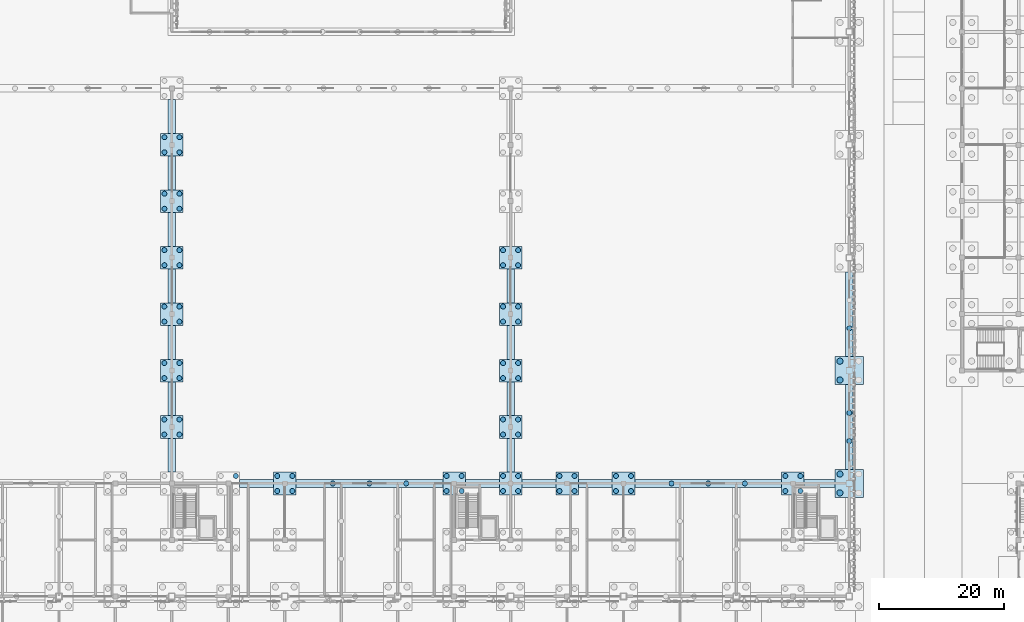
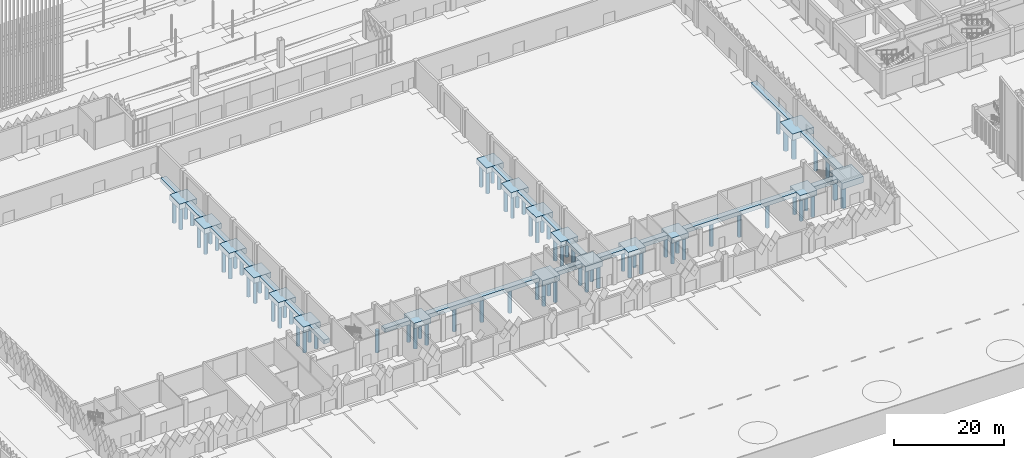
# One storey, part 7 of 198: 78 piles, 38 footings.
"""IFC4 building model written with IfcOpenShell, lengths in metres."""

import ifcopenshell
import ifcopenshell.guid

model = None  # the IFC model being written
_history = None  # IfcOwnerHistory: only IFC2X3 demands one
_inside = {}  # id of a spatial element -> (the spatial element, [elements in it])
_under = {}  # id of a project, library or spatial element -> (it, [spatial elements below it])
_declared = {}  # id of a project -> (the project, [libraries it declares])
_typed = {}  # id of a type object -> (the type object, [elements of that type])
_made_of = {}  # id of a material, layer set ... -> (it, [elements and type objects made of it])


def new_model(schema):
    """Start an empty IFC model of exactly this schema.

    Asked for "IFC4X3", IfcOpenShell would pick the latest addendum, in which some entities
    have other attributes; the version numbers below select the first issue.
    IFC2X3 requires an IfcOwnerHistory on every rooted entity: one is made here for all.
    """
    global model, _history
    if schema == "IFC4X3":
        model = ifcopenshell.file(schema_version=(4, 3, 0, 0))
    else:
        model = ifcopenshell.file(schema=schema)
    _inside.clear()
    _under.clear()
    _declared.clear()
    _typed.clear()
    _made_of.clear()
    _history = None
    if model.schema == "IFC2X3":
        org = make("IfcOrganization", Name="unknown")
        user = make(
            "IfcPersonAndOrganization",
            ThePerson=make("IfcPerson", FamilyName="unknown"),
            TheOrganization=org,
        )
        app = make(
            "IfcApplication",
            ApplicationDeveloper=org,
            Version="unknown",
            ApplicationFullName="unknown",
            ApplicationIdentifier="unknown",
        )
        _history = make(
            "IfcOwnerHistory",
            OwningUser=user,
            OwningApplication=app,
            ChangeAction="ADDED",
            CreationDate=0,
        )
    return model


def make(cls, **values):
    """One entity of the class cls with the attributes given. An attribute that is None is left unset."""
    return model.create_entity(
        cls, **{name: value for name, value in values.items() if value is not None}
    )


def rooted(cls, **values):
    """An entity with a GlobalId (a new one), such as an element, a storey or a relation."""
    return make(cls, GlobalId=ifcopenshell.guid.new(), OwnerHistory=_history, **values)


def si_unit(unit_type, name, prefix=None):
    """IfcSIUnit, for example si_unit("LENGTHUNIT", "METRE", prefix="MILLI")."""
    return make("IfcSIUnit", UnitType=unit_type, Prefix=prefix, Name=name)


def assignment(units):
    """IfcUnitAssignment: the units of a project."""
    return None if units is None else make("IfcUnitAssignment", Units=units)


def point(xyz):
    """IfcCartesianPoint."""
    return None if xyz is None else make("IfcCartesianPoint", Coordinates=xyz)


def direction(xyz):
    """IfcDirection."""
    return None if xyz is None else make("IfcDirection", DirectionRatios=xyz)


def frame(location, z_axis=None, x_axis=None):
    """IfcAxis2Placement3D, a coordinate frame: its origin and axes. An axis left out is left unset."""
    return make(
        "IfcAxis2Placement3D",
        Location=point(location),
        Axis=direction(z_axis),
        RefDirection=direction(x_axis),
    )


def frame_2d(location, x_axis=None):
    """IfcAxis2Placement2D, a coordinate frame in the plane: its origin and x axis."""
    return make(
        "IfcAxis2Placement2D", Location=point(location), RefDirection=direction(x_axis)
    )


def origin():
    """The frame at (0, 0, 0) with its axes left unset."""
    return frame((0.0, 0.0, 0.0))


def origin_2d():
    """The frame at (0, 0) in the plane with its x axis left unset."""
    return frame_2d((0.0, 0.0))


def place(relative_to, where):
    """IfcLocalPlacement: puts the frame where relative to a parent placement (None: the world)."""
    return make(
        "IfcLocalPlacement", PlacementRelTo=relative_to, RelativePlacement=where
    )


def context(
    kind, dimensions, precision=None, world=None, true_north=None, identifier=None
):
    """IfcGeometricRepresentationContext, for example the 3D "Model" context."""
    return make(
        "IfcGeometricRepresentationContext",
        ContextIdentifier=identifier,
        ContextType=kind,
        CoordinateSpaceDimension=dimensions,
        Precision=precision,
        WorldCoordinateSystem=world,
        TrueNorth=true_north,
    )


def subcontext(parent, identifier, kind, view, scale=None):
    """IfcGeometricRepresentationSubContext, for example "Body" below "Model"."""
    return make(
        "IfcGeometricRepresentationSubContext",
        ContextIdentifier=identifier,
        ContextType=kind,
        ParentContext=parent,
        TargetScale=scale,
        TargetView=view,
    )


def project(units=None, contexts=None):
    """IfcProject with its units and contexts."""
    return rooted(
        "IfcProject",
        Name="project",
        RepresentationContexts=contexts,
        UnitsInContext=assignment(units),
    )


def spatial(cls, under=None, at=None, **own):
    """A site, building, storey or space (cls), placed at a placement, below another one or the project."""
    s = rooted(cls, ObjectPlacement=at, **own)
    if under is not None:
        _under.setdefault(under.id(), (under, []))[1].append(s)
    return s


def polyline(points):
    """IfcPolyline through the points."""
    return make("IfcPolyline", Points=[point(p) for p in points])


def profile(cls, at=None, kind="AREA", **sizes):
    """A parametric profile (cls). Its sizes go by their IFC names, for example OverallWidth=200.0."""
    return make(cls, ProfileType=kind, Position=at, **sizes)


def circle(**sizes):
    """IfcCircleProfileDef."""
    return profile("IfcCircleProfileDef", **sizes)


def outline(outer, holes=None, kind="AREA"):
    """IfcArbitraryClosedProfileDef: a profile drawn as a closed curve; with holes, ...WithVoids."""
    if holes is None:
        return make("IfcArbitraryClosedProfileDef", ProfileType=kind, OuterCurve=outer)
    return make(
        "IfcArbitraryProfileDefWithVoids",
        ProfileType=kind,
        OuterCurve=outer,
        InnerCurves=holes,
    )


def extrude(swept, where, along, depth):
    """IfcExtrudedAreaSolid: the profile swept, set in the frame where, extruded along a direction by depth."""
    return make(
        "IfcExtrudedAreaSolid",
        SweptArea=swept,
        Position=where,
        ExtrudedDirection=direction(along),
        Depth=depth,
    )


def shape(context_of_items, identifier, shape_type, items):
    """IfcShapeRepresentation: the items that make up one representation, for example the "Body"."""
    return make(
        "IfcShapeRepresentation",
        ContextOfItems=context_of_items,
        RepresentationIdentifier=identifier,
        RepresentationType=shape_type,
        Items=items,
    )


def material(Name=None, Category=None):
    """IfcMaterial."""
    return make("IfcMaterial", Name=Name, Category=Category)


def layer(
    of_material, thickness, ventilated=None, Name=None, Category=None, Priority=None
):
    """IfcMaterialLayer: one layer of a wall or slab, of a material (None: an air gap)."""
    return make(
        "IfcMaterialLayer",
        Material=of_material,
        LayerThickness=thickness,
        IsVentilated=ventilated,
        Name=Name,
        Category=Category,
        Priority=Priority,
    )


def layer_set(layers, Name=None):
    """IfcMaterialLayerSet."""
    return make("IfcMaterialLayerSet", MaterialLayers=layers, LayerSetName=Name)


def material_profile(
    of_material, cross_section, Name=None, Category=None, Priority=None
):
    """IfcMaterialProfile: a cross section and its material."""
    return make(
        "IfcMaterialProfile",
        Name=Name,
        Material=of_material,
        Profile=cross_section,
        Priority=Priority,
        Category=Category,
    )


def profile_set(profiles, Name=None, composite=None):
    """IfcMaterialProfileSet."""
    return make(
        "IfcMaterialProfileSet",
        Name=Name,
        MaterialProfiles=profiles,
        CompositeProfile=composite,
    )


def made_of(thing, what):
    """Note that an element or type object is made of a material, layer set ...; save() writes the relation."""
    if what is not None:
        _made_of.setdefault(what.id(), (what, []))[1].append(thing)
    return thing


def type_object(cls, material=None, **own):
    """A type object (cls), such as IfcWallType, which elements share."""
    return made_of(rooted(cls, **own), material)


def element(
    cls,
    number,
    at=None,
    inside=None,
    cuts=None,
    type_object=None,
    material=None,
    context=None,
    identifier="Body",
    shape_type=None,
    held_by="IfcProductDefinitionShape",
    body=None,
    shapes=None,
    **own,
):
    """One element of the class cls, such as IfcWall. Its Tag is "e" and its number.

    at: its placement. inside: the storey or other place that contains it. cuts: it is an
    opening in that element (IfcRelVoidsElement). A single representation is given by context,
    identifier, shape_type and body (its items); several are given by shapes. held_by: the class
    of the entity that holds the representations. save() writes the other relations.
    """
    e = rooted(cls, Tag="e%d" % number, ObjectPlacement=at, **own)
    if body is not None:
        shapes = [shape(context, identifier, shape_type, body)]
    if shapes is not None:
        e.Representation = make(held_by, Representations=shapes)
    if inside is not None:
        _inside.setdefault(inside.id(), (inside, []))[1].append(e)
    if cuts is not None:
        rooted(
            "IfcRelVoidsElement", RelatingBuildingElement=cuts, RelatedOpeningElement=e
        )
    if type_object is not None:
        _typed.setdefault(type_object.id(), (type_object, []))[1].append(e)
    return made_of(e, material)


def aggregate(whole, parts):
    """IfcRelAggregates: a whole, such as a stair, and the parts it consists of."""
    return rooted("IfcRelAggregates", RelatingObject=whole, RelatedObjects=parts)


def save(model, path):
    """Write the relations noted so far, then the file.

    IfcRelAggregates (storeys below a building ...), IfcRelContainedInSpatialStructure (elements
    in a storey), IfcRelDefinesByType, IfcRelAssociatesMaterial and IfcRelDeclares: one each for
    every whole, place, type object, material and project.
    """
    for whole, parts in _under.values():
        aggregate(whole, parts)
    for where, things in _inside.values():
        rooted(
            "IfcRelContainedInSpatialStructure",
            RelatedElements=things,
            RelatingStructure=where,
        )
    for kind, things in _typed.values():
        rooted("IfcRelDefinesByType", RelatedObjects=things, RelatingType=kind)
    for what, things in _made_of.values():
        rooted("IfcRelAssociatesMaterial", RelatedObjects=things, RelatingMaterial=what)
    for by, libraries in _declared.values():
        rooted("IfcRelDeclares", RelatingContext=by, RelatedDefinitions=libraries)
    model.write(path)


model = new_model("IFC4")

# Units and contexts
model_context = context("Model", 3, precision=1e-05, world=origin(), true_north=direction((0.0, 1.0)))
body_context = subcontext(model_context, "Body", "Model", "MODEL_VIEW")
ifc_project = project(units=[si_unit("LENGTHUNIT", "METRE"), si_unit("AREAUNIT", "SQUARE_METRE"), si_unit("VOLUMEUNIT", "CUBIC_METRE"), si_unit("PLANEANGLEUNIT", "RADIAN"), si_unit("MASSUNIT", "GRAM", prefix="KILO")], contexts=[model_context])

# Site, building, storey
site_placement = place(None, origin())
site = spatial("IfcSite", under=ifc_project, at=site_placement, CompositionType="ELEMENT")
building_placement = place(site_placement, origin())
building = spatial("IfcBuilding", under=site, at=building_placement, Name="Opaline Strait Convention Centre", CompositionType="ELEMENT")
storey_placement = place(building_placement, origin())
storey = spatial("IfcBuildingStorey", under=building, at=storey_placement, Name="L00", CompositionType="ELEMENT", Elevation=0.0)

# Piles
ifc_material_1 = material(Name="Concrete C35", Category="concrete")
ifc_material_profile_1 = material_profile(ifc_material_1, circle(Radius=0.5, at=origin_2d()), Name="D1000")
ifc_profile_set_1 = profile_set([ifc_material_profile_1], Name="Concrete C35")
pile_type_1 = type_object("IfcPileType", Name="Bored pile D1000 C35", PredefinedType="BORED", material=ifc_profile_set_1)
for number, where, z_axis, x_axis, name in (
    (1, (259.5, 70.5, -1.300048828125), (0.0, 0.0, -1.0), (1.0, 0.0, 0.0), "Bored pile of cap 261/72"),
    (2, (259.5, 73.5, -1.300048828125), (0.0, 0.0, -1.0), (1.0, 0.0, 0.0), "Bored pile of cap 261/72"),
    (3, (259.5, 88.5, -1.300048828125), (0.0, 0.0, -1.0), (1.0, 0.0, 0.0), "Bored pile of cap 261/90"),
    (4, (259.5, 91.5, -1.300048828125), (0.0, 0.0, -1.0), (1.0, 0.0, 0.0), "Bored pile of cap 261/90"),
):
    element("IfcPile", number, at=place(storey_placement, frame(where, z_axis=z_axis, x_axis=x_axis)), inside=storey, type_object=pile_type_1, Name=name, PredefinedType="BORED", context=body_context, shape_type="SweptSolid", body=[
        extrude(circle(Radius=0.5, at=origin_2d()), origin(), (0.0, 0.0, 1.0), 4.699951171875),
    ])
ifc_material_profile_2 = material_profile(ifc_material_1, circle(Radius=0.39990234375, at=origin_2d()), Name="D800")
ifc_profile_set_2 = profile_set([ifc_material_profile_2], Name="Concrete C35")
pile_type_2 = type_object("IfcPileType", Name="Bored pile D800 C35", PredefinedType="BORED", material=ifc_profile_set_2)
for number, where, z_axis, x_axis, name in (
    (5, (151.800048828125, 79.800048828125, -1.10009765625), (0.0, 0.0, -1.0), (1.0, 0.0, 0.0), "Bored pile of cap 153/81"),
    (6, (151.800048828125, 82.199951171875, -1.10009765625), (0.0, 0.0, -1.0), (1.0, 0.0, 0.0), "Bored pile of cap 153/81"),
    (7, (154.199951171875, 79.800048828125, -1.10009765625), (0.0, 0.0, -1.0), (1.0, 0.0, 0.0), "Bored pile of cap 153/81"),
    (8, (154.199951171875, 82.199951171875, -1.10009765625), (0.0, 0.0, -1.0), (1.0, 0.0, 0.0), "Bored pile of cap 153/81"),
    (9, (151.800048828125, 88.800048828125, -1.10009765625), (0.0, 0.0, -1.0), (1.0, 0.0, 0.0), "Bored pile of cap 153/90"),
    (10, (151.800048828125, 91.199951171875, -1.10009765625), (0.0, 0.0, -1.0), (1.0, 0.0, 0.0), "Bored pile of cap 153/90"),
    (11, (154.199951171875, 88.800048828125, -1.10009765625), (0.0, 0.0, -1.0), (1.0, 0.0, 0.0), "Bored pile of cap 153/90"),
    (12, (154.199951171875, 91.199951171875, -1.10009765625), (0.0, 0.0, -1.0), (1.0, 0.0, 0.0), "Bored pile of cap 153/90"),
    (13, (151.800048828125, 97.800048828125, -1.10009765625), (0.0, 0.0, -1.0), (1.0, 0.0, 0.0), "Bored pile of cap 153/99"),
    (14, (151.800048828125, 100.199951171875, -1.10009765625), (0.0, 0.0, -1.0), (1.0, 0.0, 0.0), "Bored pile of cap 153/99"),
    (15, (154.199951171875, 97.800048828125, -1.10009765625), (0.0, 0.0, -1.0), (1.0, 0.0, 0.0), "Bored pile of cap 153/99"),
    (16, (154.199951171875, 100.199951171875, -1.10009765625), (0.0, 0.0, -1.0), (1.0, 0.0, 0.0), "Bored pile of cap 153/99"),
    (17, (151.800048828125, 106.800048828125, -1.10009765625), (0.0, 0.0, -1.0), (1.0, 0.0, 0.0), "Bored pile of cap 153/108"),
    (18, (151.800048828125, 109.199951171875, -1.10009765625), (0.0, 0.0, -1.0), (1.0, 0.0, 0.0), "Bored pile of cap 153/108"),
    (19, (154.199951171875, 106.800048828125, -1.10009765625), (0.0, 0.0, -1.0), (1.0, 0.0, 0.0), "Bored pile of cap 153/108"),
    (20, (154.199951171875, 109.199951171875, -1.10009765625), (0.0, 0.0, -1.0), (1.0, 0.0, 0.0), "Bored pile of cap 153/108"),
    (21, (151.800048828125, 115.800048828125, -1.10009765625), (0.0, 0.0, -1.0), (1.0, 0.0, 0.0), "Bored pile of cap 153/117"),
    (22, (151.800048828125, 118.199951171875, -1.10009765625), (0.0, 0.0, -1.0), (1.0, 0.0, 0.0), "Bored pile of cap 153/117"),
    (23, (154.199951171875, 115.800048828125, -1.10009765625), (0.0, 0.0, -1.0), (1.0, 0.0, 0.0), "Bored pile of cap 153/117"),
    (24, (154.199951171875, 118.199951171875, -1.10009765625), (0.0, 0.0, -1.0), (1.0, 0.0, 0.0), "Bored pile of cap 153/117"),
    (25, (151.800048828125, 124.800048828125, -1.10009765625), (0.0, 0.0, -1.0), (1.0, 0.0, 0.0), "Bored pile of cap 153/126"),
    (26, (151.800048828125, 127.199951171875, -1.10009765625), (0.0, 0.0, -1.0), (1.0, 0.0, 0.0), "Bored pile of cap 153/126"),
    (27, (154.199951171875, 124.800048828125, -1.10009765625), (0.0, 0.0, -1.0), (1.0, 0.0, 0.0), "Bored pile of cap 153/126"),
    (28, (154.199951171875, 127.199951171875, -1.10009765625), (0.0, 0.0, -1.0), (1.0, 0.0, 0.0), "Bored pile of cap 153/126"),
    (29, (163.199951171875, 73.199951171875, -1.10009765625), (0.0, 0.0, -1.0), (1.0, 0.0, 0.0), "Bored pile of cap 162/72"),
    (30, (169.800048828125, 70.800048828125, -1.10009765625), (0.0, 0.0, -1.0), (1.0, 0.0, 0.0), "Bored pile of cap 171/72"),
    (31, (169.800048828125, 73.199951171875, -1.10009765625), (0.0, 0.0, -1.0), (1.0, 0.0, 0.0), "Bored pile of cap 171/72"),
    (32, (172.199951171875, 70.800048828125, -1.10009765625), (0.0, 0.0, -1.0), (1.0, 0.0, 0.0), "Bored pile of cap 171/72"),
    (33, (172.199951171875, 73.199951171875, -1.10009765625), (0.0, 0.0, -1.0), (1.0, 0.0, 0.0), "Bored pile of cap 171/72"),
    (34, (196.800048828125, 70.800048828125, -1.10009765625), (0.0, 0.0, -1.0), (1.0, 0.0, 0.0), "Bored pile of cap 198/72"),
    (35, (196.800048828125, 73.199951171875, -1.10009765625), (0.0, 0.0, -1.0), (1.0, 0.0, 0.0), "Bored pile of cap 198/72"),
    (36, (199.199951171875, 70.800048828125, -1.10009765625), (0.0, 0.0, -1.0), (1.0, 0.0, 0.0), "Bored pile of cap 198/72"),
    (37, (199.199951171875, 73.199951171875, -1.10009765625), (0.0, 0.0, -1.0), (1.0, 0.0, 0.0), "Bored pile of cap 198/72"),
    (38, (205.800048828125, 70.800048828125, -1.10009765625), (0.0, 0.0, -1.0), (1.0, 0.0, 0.0), "Bored pile of cap 207/72"),
    (39, (205.800048828125, 73.199951171875, -1.10009765625), (0.0, 0.0, -1.0), (1.0, 0.0, 0.0), "Bored pile of cap 207/72"),
    (40, (208.199951171875, 70.800048828125, -1.10009765625), (0.0, 0.0, -1.0), (1.0, 0.0, 0.0), "Bored pile of cap 207/72"),
    (41, (208.199951171875, 73.199951171875, -1.10009765625), (0.0, 0.0, -1.0), (1.0, 0.0, 0.0), "Bored pile of cap 207/72"),
    (42, (205.800048828125, 79.800048828125, -1.10009765625), (0.0, 0.0, -1.0), (1.0, 0.0, 0.0), "Bored pile of cap 207/81"),
    (43, (205.800048828125, 82.199951171875, -1.10009765625), (0.0, 0.0, -1.0), (1.0, 0.0, 0.0), "Bored pile of cap 207/81"),
    (44, (208.199951171875, 79.800048828125, -1.10009765625), (0.0, 0.0, -1.0), (1.0, 0.0, 0.0), "Bored pile of cap 207/81"),
    (45, (208.199951171875, 82.199951171875, -1.10009765625), (0.0, 0.0, -1.0), (1.0, 0.0, 0.0), "Bored pile of cap 207/81"),
    (46, (205.800048828125, 88.800048828125, -1.10009765625), (0.0, 0.0, -1.0), (1.0, 0.0, 0.0), "Bored pile of cap 207/90"),
    (47, (205.800048828125, 91.199951171875, -1.10009765625), (0.0, 0.0, -1.0), (1.0, 0.0, 0.0), "Bored pile of cap 207/90"),
    (48, (208.199951171875, 88.800048828125, -1.10009765625), (0.0, 0.0, -1.0), (1.0, 0.0, 0.0), "Bored pile of cap 207/90"),
    (49, (208.199951171875, 91.199951171875, -1.10009765625), (0.0, 0.0, -1.0), (1.0, 0.0, 0.0), "Bored pile of cap 207/90"),
    (50, (205.800048828125, 97.800048828125, -1.10009765625), (0.0, 0.0, -1.0), (1.0, 0.0, 0.0), "Bored pile of cap 207/99"),
    (51, (205.800048828125, 100.199951171875, -1.10009765625), (0.0, 0.0, -1.0), (1.0, 0.0, 0.0), "Bored pile of cap 207/99"),
    (52, (208.199951171875, 97.800048828125, -1.10009765625), (0.0, 0.0, -1.0), (1.0, 0.0, 0.0), "Bored pile of cap 207/99"),
    (53, (208.199951171875, 100.199951171875, -1.10009765625), (0.0, 0.0, -1.0), (1.0, 0.0, 0.0), "Bored pile of cap 207/99"),
    (54, (205.800048828125, 106.800048828125, -1.10009765625), (0.0, 0.0, -1.0), (1.0, 0.0, 0.0), "Bored pile of cap 207/108"),
    (55, (205.800048828125, 109.199951171875, -1.10009765625), (0.0, 0.0, -1.0), (1.0, 0.0, 0.0), "Bored pile of cap 207/108"),
    (56, (208.199951171875, 106.800048828125, -1.10009765625), (0.0, 0.0, -1.0), (1.0, 0.0, 0.0), "Bored pile of cap 207/108"),
    (57, (208.199951171875, 109.199951171875, -1.10009765625), (0.0, 0.0, -1.0), (1.0, 0.0, 0.0), "Bored pile of cap 207/108"),
    (58, (214.800048828125, 70.800048828125, -1.10009765625), (0.0, 0.0, -1.0), (1.0, 0.0, 0.0), "Bored pile of cap 216/72"),
    (59, (214.800048828125, 73.199951171875, -1.10009765625), (0.0, 0.0, -1.0), (1.0, 0.0, 0.0), "Bored pile of cap 216/72"),
    (60, (217.199951171875, 70.800048828125, -1.10009765625), (0.0, 0.0, -1.0), (1.0, 0.0, 0.0), "Bored pile of cap 216/72"),
    (61, (217.199951171875, 73.199951171875, -1.10009765625), (0.0, 0.0, -1.0), (1.0, 0.0, 0.0), "Bored pile of cap 216/72"),
    (62, (223.800048828125, 70.800048828125, -1.10009765625), (0.0, 0.0, -1.0), (1.0, 0.0, 0.0), "Bored pile of cap 225/72"),
    (63, (223.800048828125, 73.199951171875, -1.10009765625), (0.0, 0.0, -1.0), (1.0, 0.0, 0.0), "Bored pile of cap 225/72"),
    (64, (226.199951171875, 70.800048828125, -1.10009765625), (0.0, 0.0, -1.0), (1.0, 0.0, 0.0), "Bored pile of cap 225/72"),
    (65, (226.199951171875, 73.199951171875, -1.10009765625), (0.0, 0.0, -1.0), (1.0, 0.0, 0.0), "Bored pile of cap 225/72"),
    (66, (250.800048828125, 70.800048828125, -1.10009765625), (0.0, 0.0, -1.0), (1.0, 0.0, 0.0), "Bored pile of cap 252/72"),
    (67, (250.800048828125, 73.199951171875, -1.10009765625), (0.0, 0.0, -1.0), (1.0, 0.0, 0.0), "Bored pile of cap 252/72"),
    (68, (253.199951171875, 70.800048828125, -1.10009765625), (0.0, 0.0, -1.0), (1.0, 0.0, 0.0), "Bored pile of cap 252/72"),
    (69, (253.199951171875, 73.199951171875, -1.10009765625), (0.0, 0.0, -1.0), (1.0, 0.0, 0.0), "Bored pile of cap 252/72"),
):
    element("IfcPile", number, at=place(storey_placement, frame(where, z_axis=z_axis, x_axis=x_axis)), inside=storey, type_object=pile_type_2, Name=name, PredefinedType="BORED", context=body_context, shape_type="SweptSolid", body=[
        extrude(circle(Radius=0.39990234375, at=origin_2d()), origin(), (0.0, 0.0, 1.0), 4.89990234375),
    ])
for number, where, z_axis, x_axis, name in (
    (70, (261.0, 78.75, -0.800048828125), (0.0, 0.0, -1.0), (1.0, 0.0, 0.0), "Bored pile under pile cap beam 34"),
    (71, (261.0, 83.25, -0.800048828125), (0.0, 0.0, -1.0), (1.0, 0.0, 0.0), "Bored pile under pile cap beam 34"),
    (72, (261.0, 96.75, -0.800048828125), (0.0, 0.0, -1.0), (1.0, 0.0, 0.0), "Bored pile under pile cap beam 35"),
    (73, (178.64990234375, 72.0, -0.800048828125), (0.0, 0.0, -1.0), (1.0, 0.0, 0.0), "Bored pile under pile cap beam 59"),
    (74, (184.5, 72.0, -0.800048828125), (0.0, 0.0, -1.0), (1.0, 0.0, 0.0), "Bored pile under pile cap beam 59"),
    (75, (190.35009765625, 72.0, -0.800048828125), (0.0, 0.0, -1.0), (1.0, 0.0, 0.0), "Bored pile under pile cap beam 59"),
    (76, (232.64990234375, 72.0, -0.800048828125), (0.0, 0.0, -1.0), (1.0, 0.0, 0.0), "Bored pile under pile cap beam 63"),
    (77, (238.5, 72.0, -0.800048828125), (0.0, 0.0, -1.0), (1.0, 0.0, 0.0), "Bored pile under pile cap beam 63"),
    (78, (244.35009765625, 72.0, -0.800048828125), (0.0, 0.0, -1.0), (1.0, 0.0, 0.0), "Bored pile under pile cap beam 63"),
):
    element("IfcPile", number, at=place(storey_placement, frame(where, z_axis=z_axis, x_axis=x_axis)), inside=storey, type_object=pile_type_2, Name=name, PredefinedType="BORED", context=body_context, shape_type="SweptSolid", body=[
        extrude(circle(Radius=0.39990234375, at=origin_2d()), origin(), (0.0, 0.0, 1.0), 5.199951171875),
    ])

# Footings
footing_type_1 = type_object("IfcFootingType", Name="Ground beam 1200 x 900 C35", PredefinedType="FOOTING_BEAM", material=ifc_material_1)
footing_1_placement = place(storey_placement, frame((0.0, 0.0, -0.89990234375)))
element("IfcFooting", 79, at=footing_1_placement, inside=storey, type_object=footing_type_1, Name="Ground beam 39 on the x = 153 line", PredefinedType="FOOTING_BEAM", context=body_context, shape_type="SweptSolid", body=[
    extrude(outline(polyline([(152.39990234375, 73.800048828125), (153.60009765625, 73.800048828125), (153.60009765625, 79.199951171875), (152.39990234375, 79.199951171875), (152.39990234375, 73.800048828125)])), origin(), (0.0, 0.0, 1.0), 0.89990234375),
])
footing_2_placement = place(storey_placement, frame((0.0, 0.0, -0.89990234375)))
element("IfcFooting", 80, at=footing_2_placement, inside=storey, type_object=footing_type_1, Name="Ground beam 40 on the x = 153 line", PredefinedType="FOOTING_BEAM", context=body_context, shape_type="SweptSolid", body=[
    extrude(outline(polyline([(152.39990234375, 82.800048828125), (153.60009765625, 82.800048828125), (153.60009765625, 88.199951171875), (152.39990234375, 88.199951171875), (152.39990234375, 82.800048828125)])), origin(), (0.0, 0.0, 1.0), 0.89990234375),
])
footing_3_placement = place(storey_placement, frame((0.0, 0.0, -0.89990234375)))
element("IfcFooting", 81, at=footing_3_placement, inside=storey, type_object=footing_type_1, Name="Ground beam 41 on the x = 153 line", PredefinedType="FOOTING_BEAM", context=body_context, shape_type="SweptSolid", body=[
    extrude(outline(polyline([(152.39990234375, 91.800048828125), (153.60009765625, 91.800048828125), (153.60009765625, 97.199951171875), (152.39990234375, 97.199951171875), (152.39990234375, 91.800048828125)])), origin(), (0.0, 0.0, 1.0), 0.89990234375),
])
footing_4_placement = place(storey_placement, frame((0.0, 0.0, -0.89990234375)))
element("IfcFooting", 82, at=footing_4_placement, inside=storey, type_object=footing_type_1, Name="Ground beam 42 on the x = 153 line", PredefinedType="FOOTING_BEAM", context=body_context, shape_type="SweptSolid", body=[
    extrude(outline(polyline([(152.39990234375, 100.800048828125), (153.60009765625, 100.800048828125), (153.60009765625, 106.199951171875), (152.39990234375, 106.199951171875), (152.39990234375, 100.800048828125)])), origin(), (0.0, 0.0, 1.0), 0.89990234375),
])
footing_5_placement = place(storey_placement, frame((0.0, 0.0, -0.89990234375)))
element("IfcFooting", 83, at=footing_5_placement, inside=storey, type_object=footing_type_1, Name="Ground beam 43 on the x = 153 line", PredefinedType="FOOTING_BEAM", context=body_context, shape_type="SweptSolid", body=[
    extrude(outline(polyline([(152.39990234375, 109.800048828125), (153.60009765625, 109.800048828125), (153.60009765625, 115.199951171875), (152.39990234375, 115.199951171875), (152.39990234375, 109.800048828125)])), origin(), (0.0, 0.0, 1.0), 0.89990234375),
])
footing_6_placement = place(storey_placement, frame((0.0, 0.0, -0.89990234375)))
element("IfcFooting", 84, at=footing_6_placement, inside=storey, type_object=footing_type_1, Name="Ground beam 44 on the x = 153 line", PredefinedType="FOOTING_BEAM", context=body_context, shape_type="SweptSolid", body=[
    extrude(outline(polyline([(152.39990234375, 118.800048828125), (153.60009765625, 118.800048828125), (153.60009765625, 124.199951171875), (152.39990234375, 124.199951171875), (152.39990234375, 118.800048828125)])), origin(), (0.0, 0.0, 1.0), 0.89990234375),
])
footing_7_placement = place(storey_placement, frame((0.0, 0.0, -0.89990234375)))
element("IfcFooting", 85, at=footing_7_placement, inside=storey, type_object=footing_type_1, Name="Ground beam 45 on the x = 153 line", PredefinedType="FOOTING_BEAM", context=body_context, shape_type="SweptSolid", body=[
    extrude(outline(polyline([(152.39990234375, 127.800048828125), (153.60009765625, 127.800048828125), (153.60009765625, 133.199951171875), (152.39990234375, 133.199951171875), (152.39990234375, 127.800048828125)])), origin(), (0.0, 0.0, 1.0), 0.89990234375),
])
footing_8_placement = place(storey_placement, frame((0.0, 0.0, -0.89990234375)))
element("IfcFooting", 86, at=footing_8_placement, inside=storey, type_object=footing_type_1, Name="Ground beam 46 on the x = 207 line", PredefinedType="FOOTING_BEAM", context=body_context, shape_type="SweptSolid", body=[
    extrude(outline(polyline([(206.39990234375, 73.800048828125), (207.60009765625, 73.800048828125), (207.60009765625, 79.199951171875), (206.39990234375, 79.199951171875), (206.39990234375, 73.800048828125)])), origin(), (0.0, 0.0, 1.0), 0.89990234375),
])
footing_9_placement = place(storey_placement, frame((0.0, 0.0, -0.89990234375)))
element("IfcFooting", 87, at=footing_9_placement, inside=storey, type_object=footing_type_1, Name="Ground beam 47 on the x = 207 line", PredefinedType="FOOTING_BEAM", context=body_context, shape_type="SweptSolid", body=[
    extrude(outline(polyline([(206.39990234375, 82.800048828125), (207.60009765625, 82.800048828125), (207.60009765625, 88.199951171875), (206.39990234375, 88.199951171875), (206.39990234375, 82.800048828125)])), origin(), (0.0, 0.0, 1.0), 0.89990234375),
])
footing_10_placement = place(storey_placement, frame((0.0, 0.0, -0.89990234375)))
element("IfcFooting", 88, at=footing_10_placement, inside=storey, type_object=footing_type_1, Name="Ground beam 48 on the x = 207 line", PredefinedType="FOOTING_BEAM", context=body_context, shape_type="SweptSolid", body=[
    extrude(outline(polyline([(206.39990234375, 91.800048828125), (207.60009765625, 91.800048828125), (207.60009765625, 97.199951171875), (206.39990234375, 97.199951171875), (206.39990234375, 91.800048828125)])), origin(), (0.0, 0.0, 1.0), 0.89990234375),
])
footing_11_placement = place(storey_placement, frame((0.0, 0.0, -0.89990234375)))
element("IfcFooting", 89, at=footing_11_placement, inside=storey, type_object=footing_type_1, Name="Ground beam 49 on the x = 207 line", PredefinedType="FOOTING_BEAM", context=body_context, shape_type="SweptSolid", body=[
    extrude(outline(polyline([(206.39990234375, 100.800048828125), (207.60009765625, 100.800048828125), (207.60009765625, 106.199951171875), (206.39990234375, 106.199951171875), (206.39990234375, 100.800048828125)])), origin(), (0.0, 0.0, 1.0), 0.89990234375),
])
footing_12_placement = place(storey_placement, frame((0.0, 0.0, -0.89990234375)))
element("IfcFooting", 90, at=footing_12_placement, inside=storey, type_object=footing_type_1, Name="Ground beam 58 on the y = 72 line", PredefinedType="FOOTING_BEAM", context=body_context, shape_type="SweptSolid", body=[
    extrude(outline(polyline([(163.800048828125, 71.39990234375), (169.199951171875, 71.39990234375), (169.199951171875, 72.60009765625), (163.800048828125, 72.60009765625), (163.800048828125, 71.39990234375)])), origin(), (0.0, 0.0, 1.0), 0.89990234375),
])
footing_13_placement = place(storey_placement, frame((0.0, 0.0, -0.89990234375)))
element("IfcFooting", 91, at=footing_13_placement, inside=storey, type_object=footing_type_1, Name="Ground beam 60 on the y = 72 line", PredefinedType="FOOTING_BEAM", context=body_context, shape_type="SweptSolid", body=[
    extrude(outline(polyline([(199.800048828125, 71.39990234375), (205.199951171875, 71.39990234375), (205.199951171875, 72.60009765625), (199.800048828125, 72.60009765625), (199.800048828125, 71.39990234375)])), origin(), (0.0, 0.0, 1.0), 0.89990234375),
])
footing_14_placement = place(storey_placement, frame((0.0, 0.0, -0.89990234375)))
element("IfcFooting", 92, at=footing_14_placement, inside=storey, type_object=footing_type_1, Name="Ground beam 61 on the y = 72 line", PredefinedType="FOOTING_BEAM", context=body_context, shape_type="SweptSolid", body=[
    extrude(outline(polyline([(208.800048828125, 71.39990234375), (214.199951171875, 71.39990234375), (214.199951171875, 72.60009765625), (208.800048828125, 72.60009765625), (208.800048828125, 71.39990234375)])), origin(), (0.0, 0.0, 1.0), 0.89990234375),
])
footing_15_placement = place(storey_placement, frame((0.0, 0.0, -0.89990234375)))
element("IfcFooting", 93, at=footing_15_placement, inside=storey, type_object=footing_type_1, Name="Ground beam 62 on the y = 72 line", PredefinedType="FOOTING_BEAM", context=body_context, shape_type="SweptSolid", body=[
    extrude(outline(polyline([(217.800048828125, 71.39990234375), (223.199951171875, 71.39990234375), (223.199951171875, 72.60009765625), (217.800048828125, 72.60009765625), (217.800048828125, 71.39990234375)])), origin(), (0.0, 0.0, 1.0), 0.89990234375),
])
footing_16_placement = place(storey_placement, frame((0.0, 0.0, -0.89990234375)))
element("IfcFooting", 94, at=footing_16_placement, inside=storey, type_object=footing_type_1, Name="Ground beam 64 on the y = 72 line", PredefinedType="FOOTING_BEAM", context=body_context, shape_type="SweptSolid", body=[
    extrude(outline(polyline([(253.800048828125, 71.39990234375), (258.75, 71.39990234375), (258.75, 72.60009765625), (253.800048828125, 72.60009765625), (253.800048828125, 71.39990234375)])), origin(), (0.0, 0.0, 1.0), 0.89990234375),
])
ifc_material_2 = material(Name="Concrete C40", Category="concrete")
ifc_layer_1 = layer(ifc_material_2, 1.199951171875)
ifc_layer_set_1 = layer_set([ifc_layer_1], Name="Concrete C40")
footing_type_2 = type_object("IfcFootingType", Name="Pile cap 3600 x 3600 x 1200 C40", PredefinedType="PILE_CAP", material=ifc_layer_set_1)
footing_17_placement = place(storey_placement, frame((0.0, 0.0, -1.199951171875)))
element("IfcFooting", 95, at=footing_17_placement, inside=storey, type_object=footing_type_2, Name="Column pile cap at 153/81", PredefinedType="PILE_CAP", context=body_context, shape_type="SweptSolid", body=[
    extrude(outline(polyline([(151.199951171875, 79.199951171875), (154.800048828125, 79.199951171875), (154.800048828125, 82.800048828125), (151.199951171875, 82.800048828125), (151.199951171875, 79.199951171875)])), origin(), (0.0, 0.0, 1.0), 1.199951171875),
])
footing_18_placement = place(storey_placement, frame((0.0, 0.0, -1.199951171875)))
element("IfcFooting", 96, at=footing_18_placement, inside=storey, type_object=footing_type_2, Name="Column pile cap at 153/90", PredefinedType="PILE_CAP", context=body_context, shape_type="SweptSolid", body=[
    extrude(outline(polyline([(151.199951171875, 88.199951171875), (154.800048828125, 88.199951171875), (154.800048828125, 91.800048828125), (151.199951171875, 91.800048828125), (151.199951171875, 88.199951171875)])), origin(), (0.0, 0.0, 1.0), 1.199951171875),
])
footing_19_placement = place(storey_placement, frame((0.0, 0.0, -1.199951171875)))
element("IfcFooting", 97, at=footing_19_placement, inside=storey, type_object=footing_type_2, Name="Column pile cap at 153/99", PredefinedType="PILE_CAP", context=body_context, shape_type="SweptSolid", body=[
    extrude(outline(polyline([(151.199951171875, 97.199951171875), (154.800048828125, 97.199951171875), (154.800048828125, 100.800048828125), (151.199951171875, 100.800048828125), (151.199951171875, 97.199951171875)])), origin(), (0.0, 0.0, 1.0), 1.199951171875),
])
footing_20_placement = place(storey_placement, frame((0.0, 0.0, -1.199951171875)))
element("IfcFooting", 98, at=footing_20_placement, inside=storey, type_object=footing_type_2, Name="Column pile cap at 153/108", PredefinedType="PILE_CAP", context=body_context, shape_type="SweptSolid", body=[
    extrude(outline(polyline([(151.199951171875, 106.199951171875), (154.800048828125, 106.199951171875), (154.800048828125, 109.800048828125), (151.199951171875, 109.800048828125), (151.199951171875, 106.199951171875)])), origin(), (0.0, 0.0, 1.0), 1.199951171875),
])
footing_21_placement = place(storey_placement, frame((0.0, 0.0, -1.199951171875)))
element("IfcFooting", 99, at=footing_21_placement, inside=storey, type_object=footing_type_2, Name="Column pile cap at 153/117", PredefinedType="PILE_CAP", context=body_context, shape_type="SweptSolid", body=[
    extrude(outline(polyline([(151.199951171875, 115.199951171875), (154.800048828125, 115.199951171875), (154.800048828125, 118.800048828125), (151.199951171875, 118.800048828125), (151.199951171875, 115.199951171875)])), origin(), (0.0, 0.0, 1.0), 1.199951171875),
])
footing_22_placement = place(storey_placement, frame((0.0, 0.0, -1.199951171875)))
element("IfcFooting", 100, at=footing_22_placement, inside=storey, type_object=footing_type_2, Name="Column pile cap at 153/126", PredefinedType="PILE_CAP", context=body_context, shape_type="SweptSolid", body=[
    extrude(outline(polyline([(151.199951171875, 124.199951171875), (154.800048828125, 124.199951171875), (154.800048828125, 127.800048828125), (151.199951171875, 127.800048828125), (151.199951171875, 124.199951171875)])), origin(), (0.0, 0.0, 1.0), 1.199951171875),
])
footing_23_placement = place(storey_placement, frame((0.0, 0.0, -1.199951171875)))
element("IfcFooting", 101, at=footing_23_placement, inside=storey, type_object=footing_type_2, Name="Column pile cap at 171/72", PredefinedType="PILE_CAP", context=body_context, shape_type="SweptSolid", body=[
    extrude(outline(polyline([(169.199951171875, 70.199951171875), (172.800048828125, 70.199951171875), (172.800048828125, 73.800048828125), (169.199951171875, 73.800048828125), (169.199951171875, 70.199951171875)])), origin(), (0.0, 0.0, 1.0), 1.199951171875),
])
footing_24_placement = place(storey_placement, frame((0.0, 0.0, -1.199951171875)))
element("IfcFooting", 102, at=footing_24_placement, inside=storey, type_object=footing_type_2, Name="Column pile cap at 198/72", PredefinedType="PILE_CAP", context=body_context, shape_type="SweptSolid", body=[
    extrude(outline(polyline([(196.199951171875, 70.199951171875), (199.800048828125, 70.199951171875), (199.800048828125, 73.800048828125), (196.199951171875, 73.800048828125), (196.199951171875, 70.199951171875)])), origin(), (0.0, 0.0, 1.0), 1.199951171875),
])
footing_25_placement = place(storey_placement, frame((0.0, 0.0, -1.199951171875)))
element("IfcFooting", 103, at=footing_25_placement, inside=storey, type_object=footing_type_2, Name="Column pile cap at 207/72", PredefinedType="PILE_CAP", context=body_context, shape_type="SweptSolid", body=[
    extrude(outline(polyline([(205.199951171875, 70.199951171875), (208.800048828125, 70.199951171875), (208.800048828125, 73.800048828125), (205.199951171875, 73.800048828125), (205.199951171875, 70.199951171875)])), origin(), (0.0, 0.0, 1.0), 1.199951171875),
])
footing_26_placement = place(storey_placement, frame((0.0, 0.0, -1.199951171875)))
element("IfcFooting", 104, at=footing_26_placement, inside=storey, type_object=footing_type_2, Name="Column pile cap at 207/81", PredefinedType="PILE_CAP", context=body_context, shape_type="SweptSolid", body=[
    extrude(outline(polyline([(205.199951171875, 79.199951171875), (208.800048828125, 79.199951171875), (208.800048828125, 82.800048828125), (205.199951171875, 82.800048828125), (205.199951171875, 79.199951171875)])), origin(), (0.0, 0.0, 1.0), 1.199951171875),
])
footing_27_placement = place(storey_placement, frame((0.0, 0.0, -1.199951171875)))
element("IfcFooting", 105, at=footing_27_placement, inside=storey, type_object=footing_type_2, Name="Column pile cap at 207/90", PredefinedType="PILE_CAP", context=body_context, shape_type="SweptSolid", body=[
    extrude(outline(polyline([(205.199951171875, 88.199951171875), (208.800048828125, 88.199951171875), (208.800048828125, 91.800048828125), (205.199951171875, 91.800048828125), (205.199951171875, 88.199951171875)])), origin(), (0.0, 0.0, 1.0), 1.199951171875),
])
footing_28_placement = place(storey_placement, frame((0.0, 0.0, -1.199951171875)))
element("IfcFooting", 106, at=footing_28_placement, inside=storey, type_object=footing_type_2, Name="Column pile cap at 207/99", PredefinedType="PILE_CAP", context=body_context, shape_type="SweptSolid", body=[
    extrude(outline(polyline([(205.199951171875, 97.199951171875), (208.800048828125, 97.199951171875), (208.800048828125, 100.800048828125), (205.199951171875, 100.800048828125), (205.199951171875, 97.199951171875)])), origin(), (0.0, 0.0, 1.0), 1.199951171875),
])
footing_29_placement = place(storey_placement, frame((0.0, 0.0, -1.199951171875)))
element("IfcFooting", 107, at=footing_29_placement, inside=storey, type_object=footing_type_2, Name="Column pile cap at 207/108", PredefinedType="PILE_CAP", context=body_context, shape_type="SweptSolid", body=[
    extrude(outline(polyline([(205.199951171875, 106.199951171875), (208.800048828125, 106.199951171875), (208.800048828125, 109.800048828125), (205.199951171875, 109.800048828125), (205.199951171875, 106.199951171875)])), origin(), (0.0, 0.0, 1.0), 1.199951171875),
])
footing_30_placement = place(storey_placement, frame((0.0, 0.0, -1.199951171875)))
element("IfcFooting", 108, at=footing_30_placement, inside=storey, type_object=footing_type_2, Name="Column pile cap at 216/72", PredefinedType="PILE_CAP", context=body_context, shape_type="SweptSolid", body=[
    extrude(outline(polyline([(214.199951171875, 70.199951171875), (217.800048828125, 70.199951171875), (217.800048828125, 73.800048828125), (214.199951171875, 73.800048828125), (214.199951171875, 70.199951171875)])), origin(), (0.0, 0.0, 1.0), 1.199951171875),
])
footing_31_placement = place(storey_placement, frame((0.0, 0.0, -1.199951171875)))
element("IfcFooting", 109, at=footing_31_placement, inside=storey, type_object=footing_type_2, Name="Column pile cap at 225/72", PredefinedType="PILE_CAP", context=body_context, shape_type="SweptSolid", body=[
    extrude(outline(polyline([(223.199951171875, 70.199951171875), (226.800048828125, 70.199951171875), (226.800048828125, 73.800048828125), (223.199951171875, 73.800048828125), (223.199951171875, 70.199951171875)])), origin(), (0.0, 0.0, 1.0), 1.199951171875),
])
footing_32_placement = place(storey_placement, frame((0.0, 0.0, -1.199951171875)))
element("IfcFooting", 110, at=footing_32_placement, inside=storey, type_object=footing_type_2, Name="Column pile cap at 252/72", PredefinedType="PILE_CAP", context=body_context, shape_type="SweptSolid", body=[
    extrude(outline(polyline([(250.199951171875, 70.199951171875), (253.800048828125, 70.199951171875), (253.800048828125, 73.800048828125), (250.199951171875, 73.800048828125), (250.199951171875, 70.199951171875)])), origin(), (0.0, 0.0, 1.0), 1.199951171875),
])
ifc_layer_2 = layer(ifc_material_2, 1.39990234375)
ifc_layer_set_2 = layer_set([ifc_layer_2], Name="Concrete C40")
footing_type_3 = type_object("IfcFootingType", Name="Pile cap 4500 x 4500 x 1400 C40", PredefinedType="PILE_CAP", material=ifc_layer_set_2)
footing_33_placement = place(storey_placement, frame((0.0, 0.0, -1.39990234375)))
element("IfcFooting", 111, at=footing_33_placement, inside=storey, type_object=footing_type_3, Name="Roof column pile cap at 261/72", PredefinedType="PILE_CAP", context=body_context, shape_type="SweptSolid", body=[
    extrude(outline(polyline([(258.75, 69.75), (263.25, 69.75), (263.25, 74.25), (258.75, 74.25), (258.75, 69.75)])), origin(), (0.0, 0.0, 1.0), 1.39990234375),
])
footing_34_placement = place(storey_placement, frame((0.0, 0.0, -1.39990234375)))
element("IfcFooting", 112, at=footing_34_placement, inside=storey, type_object=footing_type_3, Name="Roof column pile cap at 261/90", PredefinedType="PILE_CAP", context=body_context, shape_type="SweptSolid", body=[
    extrude(outline(polyline([(258.75, 87.75), (263.25, 87.75), (263.25, 92.25), (258.75, 92.25), (258.75, 87.75)])), origin(), (0.0, 0.0, 1.0), 1.39990234375),
])
footing_type_4 = type_object("IfcFootingType", Name="Pile cap beam 1200 x 900 C40", PredefinedType="PILE_CAP", material=ifc_material_2)
footing_35_placement = place(storey_placement, frame((0.0, 0.0, -0.89990234375)))
element("IfcFooting", 113, at=footing_35_placement, inside=storey, type_object=footing_type_4, Name="Pile cap beam 34 on the x = 261 line", PredefinedType="PILE_CAP", context=body_context, shape_type="SweptSolid", body=[
    extrude(outline(polyline([(260.39990234375, 74.25), (261.60009765625, 74.25), (261.60009765625, 87.75), (260.39990234375, 87.75), (260.39990234375, 74.25)])), origin(), (0.0, 0.0, 1.0), 0.89990234375),
])
footing_36_placement = place(storey_placement, frame((0.0, 0.0, -0.89990234375)))
element("IfcFooting", 114, at=footing_36_placement, inside=storey, type_object=footing_type_4, Name="Pile cap beam 35 on the x = 261 line", PredefinedType="PILE_CAP", context=body_context, shape_type="SweptSolid", body=[
    extrude(outline(polyline([(260.39990234375, 92.25), (261.60009765625, 92.25), (261.60009765625, 105.75), (260.39990234375, 105.75), (260.39990234375, 92.25)])), origin(), (0.0, 0.0, 1.0), 0.89990234375),
])
footing_37_placement = place(storey_placement, frame((0.0, 0.0, -0.89990234375)))
element("IfcFooting", 115, at=footing_37_placement, inside=storey, type_object=footing_type_4, Name="Pile cap beam 59 on the y = 72 line", PredefinedType="PILE_CAP", context=body_context, shape_type="SweptSolid", body=[
    extrude(outline(polyline([(172.800048828125, 71.39990234375), (196.199951171875, 71.39990234375), (196.199951171875, 72.60009765625), (172.800048828125, 72.60009765625), (172.800048828125, 71.39990234375)])), origin(), (0.0, 0.0, 1.0), 0.89990234375),
])
footing_38_placement = place(storey_placement, frame((0.0, 0.0, -0.89990234375)))
element("IfcFooting", 116, at=footing_38_placement, inside=storey, type_object=footing_type_4, Name="Pile cap beam 63 on the y = 72 line", PredefinedType="PILE_CAP", context=body_context, shape_type="SweptSolid", body=[
    extrude(outline(polyline([(226.800048828125, 71.39990234375), (250.199951171875, 71.39990234375), (250.199951171875, 72.60009765625), (226.800048828125, 72.60009765625), (226.800048828125, 71.39990234375)])), origin(), (0.0, 0.0, 1.0), 0.89990234375),
])

save(model, "model.ifc")
